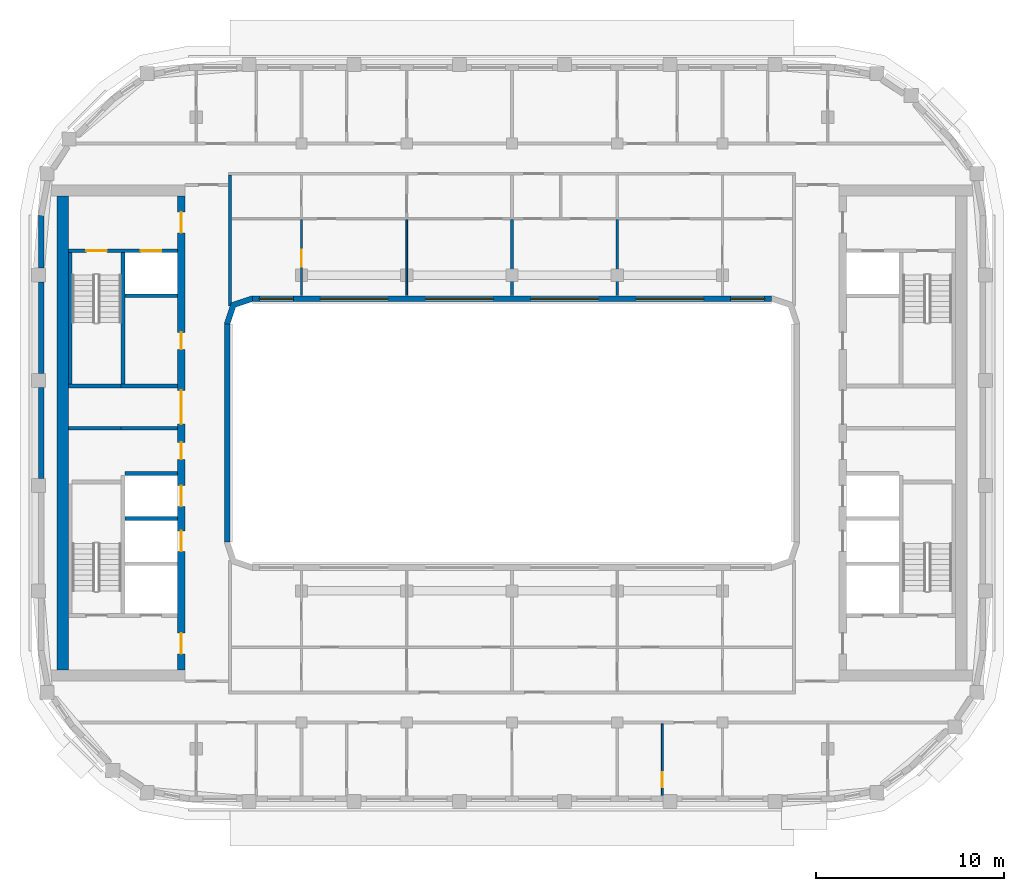
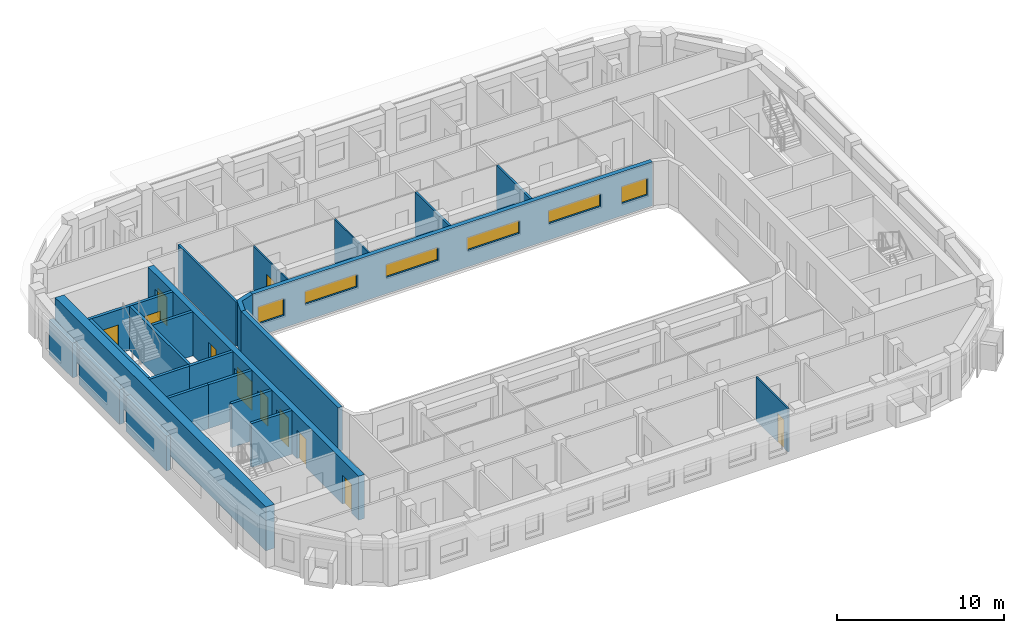
# One storey, part 4 of 16: 24 walls, 11 doors, 6 windows, 17 openings.
"""IFC4 building model written with IfcOpenShell, lengths in metres."""

import ifcopenshell
import ifcopenshell.guid

model = None  # the IFC model being written
_history = None  # IfcOwnerHistory: only IFC2X3 demands one
_inside = {}  # id of a spatial element -> (the spatial element, [elements in it])
_under = {}  # id of a project, library or spatial element -> (it, [spatial elements below it])
_declared = {}  # id of a project -> (the project, [libraries it declares])
_typed = {}  # id of a type object -> (the type object, [elements of that type])
_made_of = {}  # id of a material, layer set ... -> (it, [elements and type objects made of it])


def new_model(schema):
    """Start an empty IFC model of exactly this schema.

    Asked for "IFC4X3", IfcOpenShell would pick the latest addendum, in which some entities
    have other attributes; the version numbers below select the first issue.
    IFC2X3 requires an IfcOwnerHistory on every rooted entity: one is made here for all.
    """
    global model, _history
    if schema == "IFC4X3":
        model = ifcopenshell.file(schema_version=(4, 3, 0, 0))
    else:
        model = ifcopenshell.file(schema=schema)
    _inside.clear()
    _under.clear()
    _declared.clear()
    _typed.clear()
    _made_of.clear()
    _history = None
    if model.schema == "IFC2X3":
        org = make("IfcOrganization", Name="unknown")
        user = make(
            "IfcPersonAndOrganization",
            ThePerson=make("IfcPerson", FamilyName="unknown"),
            TheOrganization=org,
        )
        app = make(
            "IfcApplication",
            ApplicationDeveloper=org,
            Version="unknown",
            ApplicationFullName="unknown",
            ApplicationIdentifier="unknown",
        )
        _history = make(
            "IfcOwnerHistory",
            OwningUser=user,
            OwningApplication=app,
            ChangeAction="ADDED",
            CreationDate=0,
        )
    return model


def make(cls, **values):
    """One entity of the class cls with the attributes given. An attribute that is None is left unset."""
    return model.create_entity(
        cls, **{name: value for name, value in values.items() if value is not None}
    )


def rooted(cls, **values):
    """An entity with a GlobalId (a new one), such as an element, a storey or a relation."""
    return make(cls, GlobalId=ifcopenshell.guid.new(), OwnerHistory=_history, **values)


def si_unit(unit_type, name, prefix=None):
    """IfcSIUnit, for example si_unit("LENGTHUNIT", "METRE", prefix="MILLI")."""
    return make("IfcSIUnit", UnitType=unit_type, Prefix=prefix, Name=name)


def assignment(units):
    """IfcUnitAssignment: the units of a project."""
    return None if units is None else make("IfcUnitAssignment", Units=units)


def point(xyz):
    """IfcCartesianPoint."""
    return None if xyz is None else make("IfcCartesianPoint", Coordinates=xyz)


def direction(xyz):
    """IfcDirection."""
    return None if xyz is None else make("IfcDirection", DirectionRatios=xyz)


def frame(location, z_axis=None, x_axis=None):
    """IfcAxis2Placement3D, a coordinate frame: its origin and axes. An axis left out is left unset."""
    return make(
        "IfcAxis2Placement3D",
        Location=point(location),
        Axis=direction(z_axis),
        RefDirection=direction(x_axis),
    )


def frame_2d(location, x_axis=None):
    """IfcAxis2Placement2D, a coordinate frame in the plane: its origin and x axis."""
    return make(
        "IfcAxis2Placement2D", Location=point(location), RefDirection=direction(x_axis)
    )


def origin():
    """The frame at (0, 0, 0) with its axes left unset."""
    return frame((0.0, 0.0, 0.0))


def place(relative_to, where):
    """IfcLocalPlacement: puts the frame where relative to a parent placement (None: the world)."""
    return make(
        "IfcLocalPlacement", PlacementRelTo=relative_to, RelativePlacement=where
    )


def context(
    kind, dimensions, precision=None, world=None, true_north=None, identifier=None
):
    """IfcGeometricRepresentationContext, for example the 3D "Model" context."""
    return make(
        "IfcGeometricRepresentationContext",
        ContextIdentifier=identifier,
        ContextType=kind,
        CoordinateSpaceDimension=dimensions,
        Precision=precision,
        WorldCoordinateSystem=world,
        TrueNorth=true_north,
    )


def subcontext(parent, identifier, kind, view, scale=None):
    """IfcGeometricRepresentationSubContext, for example "Body" below "Model"."""
    return make(
        "IfcGeometricRepresentationSubContext",
        ContextIdentifier=identifier,
        ContextType=kind,
        ParentContext=parent,
        TargetScale=scale,
        TargetView=view,
    )


def project(units=None, contexts=None):
    """IfcProject with its units and contexts."""
    return rooted(
        "IfcProject",
        Name="project",
        RepresentationContexts=contexts,
        UnitsInContext=assignment(units),
    )


def spatial(cls, under=None, at=None, **own):
    """A site, building, storey or space (cls), placed at a placement, below another one or the project."""
    s = rooted(cls, ObjectPlacement=at, **own)
    if under is not None:
        _under.setdefault(under.id(), (under, []))[1].append(s)
    return s


def polyline(points):
    """IfcPolyline through the points."""
    return make("IfcPolyline", Points=[point(p) for p in points])


def profile(cls, at=None, kind="AREA", **sizes):
    """A parametric profile (cls). Its sizes go by their IFC names, for example OverallWidth=200.0."""
    return make(cls, ProfileType=kind, Position=at, **sizes)


def rectangle(**sizes):
    """IfcRectangleProfileDef."""
    return profile("IfcRectangleProfileDef", **sizes)


def outline(outer, holes=None, kind="AREA"):
    """IfcArbitraryClosedProfileDef: a profile drawn as a closed curve; with holes, ...WithVoids."""
    if holes is None:
        return make("IfcArbitraryClosedProfileDef", ProfileType=kind, OuterCurve=outer)
    return make(
        "IfcArbitraryProfileDefWithVoids",
        ProfileType=kind,
        OuterCurve=outer,
        InnerCurves=holes,
    )


def extrude(swept, where, along, depth):
    """IfcExtrudedAreaSolid: the profile swept, set in the frame where, extruded along a direction by depth."""
    return make(
        "IfcExtrudedAreaSolid",
        SweptArea=swept,
        Position=where,
        ExtrudedDirection=direction(along),
        Depth=depth,
    )


def shape(context_of_items, identifier, shape_type, items):
    """IfcShapeRepresentation: the items that make up one representation, for example the "Body"."""
    return make(
        "IfcShapeRepresentation",
        ContextOfItems=context_of_items,
        RepresentationIdentifier=identifier,
        RepresentationType=shape_type,
        Items=items,
    )


def material(Name=None, Category=None):
    """IfcMaterial."""
    return make("IfcMaterial", Name=Name, Category=Category)


def layer(
    of_material, thickness, ventilated=None, Name=None, Category=None, Priority=None
):
    """IfcMaterialLayer: one layer of a wall or slab, of a material (None: an air gap)."""
    return make(
        "IfcMaterialLayer",
        Material=of_material,
        LayerThickness=thickness,
        IsVentilated=ventilated,
        Name=Name,
        Category=Category,
        Priority=Priority,
    )


def layer_set(layers, Name=None):
    """IfcMaterialLayerSet."""
    return make("IfcMaterialLayerSet", MaterialLayers=layers, LayerSetName=Name)


def made_of(thing, what):
    """Note that an element or type object is made of a material, layer set ...; save() writes the relation."""
    if what is not None:
        _made_of.setdefault(what.id(), (what, []))[1].append(thing)
    return thing


def type_object(cls, material=None, **own):
    """A type object (cls), such as IfcWallType, which elements share."""
    return made_of(rooted(cls, **own), material)


def element(
    cls,
    number,
    at=None,
    inside=None,
    cuts=None,
    type_object=None,
    material=None,
    context=None,
    identifier="Body",
    shape_type=None,
    held_by="IfcProductDefinitionShape",
    body=None,
    shapes=None,
    **own,
):
    """One element of the class cls, such as IfcWall. Its Tag is "e" and its number.

    at: its placement. inside: the storey or other place that contains it. cuts: it is an
    opening in that element (IfcRelVoidsElement). A single representation is given by context,
    identifier, shape_type and body (its items); several are given by shapes. held_by: the class
    of the entity that holds the representations. save() writes the other relations.
    """
    e = rooted(cls, Tag="e%d" % number, ObjectPlacement=at, **own)
    if body is not None:
        shapes = [shape(context, identifier, shape_type, body)]
    if shapes is not None:
        e.Representation = make(held_by, Representations=shapes)
    if inside is not None:
        _inside.setdefault(inside.id(), (inside, []))[1].append(e)
    if cuts is not None:
        rooted(
            "IfcRelVoidsElement", RelatingBuildingElement=cuts, RelatedOpeningElement=e
        )
    if type_object is not None:
        _typed.setdefault(type_object.id(), (type_object, []))[1].append(e)
    return made_of(e, material)


def fill(opening, filler):
    """IfcRelFillsElement: the door or window that sits in an opening."""
    return rooted(
        "IfcRelFillsElement",
        RelatingOpeningElement=opening,
        RelatedBuildingElement=filler,
    )


def aggregate(whole, parts):
    """IfcRelAggregates: a whole, such as a stair, and the parts it consists of."""
    return rooted("IfcRelAggregates", RelatingObject=whole, RelatedObjects=parts)


def save(model, path):
    """Write the relations noted so far, then the file.

    IfcRelAggregates (storeys below a building ...), IfcRelContainedInSpatialStructure (elements
    in a storey), IfcRelDefinesByType, IfcRelAssociatesMaterial and IfcRelDeclares: one each for
    every whole, place, type object, material and project.
    """
    for whole, parts in _under.values():
        aggregate(whole, parts)
    for where, things in _inside.values():
        rooted(
            "IfcRelContainedInSpatialStructure",
            RelatedElements=things,
            RelatingStructure=where,
        )
    for kind, things in _typed.values():
        rooted("IfcRelDefinesByType", RelatedObjects=things, RelatingType=kind)
    for what, things in _made_of.values():
        rooted("IfcRelAssociatesMaterial", RelatedObjects=things, RelatingMaterial=what)
    for by, libraries in _declared.values():
        rooted("IfcRelDeclares", RelatingContext=by, RelatedDefinitions=libraries)
    model.write(path)


model = new_model("IFC4")

# Units and contexts
model_context = context("Model", 3, precision=1e-05, world=origin(), true_north=direction((0.0, 1.0)))
body_context = subcontext(model_context, "Body", "Model", "MODEL_VIEW")
ifc_project = project(units=[si_unit("LENGTHUNIT", "METRE"), si_unit("AREAUNIT", "SQUARE_METRE"), si_unit("VOLUMEUNIT", "CUBIC_METRE"), si_unit("PLANEANGLEUNIT", "RADIAN"), si_unit("MASSUNIT", "GRAM", prefix="KILO")], contexts=[model_context])

# Site, building, storey
site_placement = place(None, origin())
site = spatial("IfcSite", under=ifc_project, at=site_placement, CompositionType="ELEMENT")
building_placement = place(site_placement, origin())
building = spatial("IfcBuilding", under=site, at=building_placement, Name="Kiln Ring Residences", CompositionType="ELEMENT")
storey_placement = place(building_placement, frame((0.0, 0.0, 273.199951171875)))
storey = spatial("IfcBuildingStorey", under=building, at=storey_placement, Name="L71", CompositionType="ELEMENT", Elevation=273.199951171875)

# Walls
ifc_material_1 = material(Name="Gypsum board on steel studs", Category="steel")
ifc_layer_1 = layer(ifc_material_1, 0.199951171875)
ifc_layer_set_1 = layer_set([ifc_layer_1], Name="CORE-PARTITION-200")
wall_type_1 = type_object("IfcWallType", Name="CORE-PARTITION-200", PredefinedType="PARTITIONING", material=ifc_layer_set_1)
wall_1_placement = place(storey_placement, frame((-20.800048828125, 0.25, 0.0), z_axis=(0.0, 0.0, 1.0), x_axis=(-1.0, 0.0, 0.0)))
element("IfcWall", 1, at=wall_1_placement, inside=storey, type_object=wall_type_1, Name="Core partition west L71 1", PredefinedType="PARTITIONING", context=body_context, shape_type="SweptSolid", body=[
    extrude(rectangle(XDim=2.800048828125, YDim=0.199951171875, at=frame_2d((1.39990234375, 0.0))), origin(), (0.0, 0.0, 1.0), 3.199951171875),
])
ifc_material_2 = material(Name="Gypsum shaft wall system")
ifc_layer_2 = layer(ifc_material_2, 0.199951171875)
ifc_layer_set_2 = layer_set([ifc_layer_2], Name="CORE-SHAFT-WALL-200")
wall_type_2 = type_object("IfcWallType", Name="CORE-SHAFT-WALL-200", PredefinedType="PARTITIONING", material=ifc_layer_set_2)
for number, where, z_axis, x_axis, name in (
    (2, (-17.800048828125, -4.550048828125, 0.0), (0.0, 0.0, 1.0), (-1.0, 0.0, 0.0), "Core partition west L71 3"),
    (3, (-17.800048828125, -2.14990234375, 0.0), (0.0, 0.0, 1.0), (-1.0, 0.0, 0.0), "Core partition west L71 4"),
):
    element("IfcWall", number, at=place(storey_placement, frame(where, z_axis=z_axis, x_axis=x_axis)), inside=storey, type_object=wall_type_2, Name=name, PredefinedType="PARTITIONING", context=body_context, shape_type="SweptSolid", body=[
        extrude(rectangle(XDim=2.800048828125, YDim=0.199951171875, at=frame_2d((1.39990234375, 0.0))), origin(), (0.0, 0.0, 1.0), 3.199951171875),
    ])
for number, where, z_axis, x_axis, name in (
    (4, (-17.800048828125, 0.25, 0.0), (0.0, 0.0, 1.0), (-1.0, 0.0, 0.0), "Core partition west L71 5"),
    (5, (-17.800048828125, 2.5, 0.0), (0.0, 0.0, 1.0), (-1.0, 0.0, 0.0), "Core partition west L71 6"),
):
    element("IfcWall", number, at=place(storey_placement, frame(where, z_axis=z_axis, x_axis=x_axis)), inside=storey, type_object=wall_type_2, Name=name, PredefinedType="PARTITIONING", context=body_context, shape_type="SweptSolid", body=[
        extrude(rectangle(XDim=3.0, YDim=0.199951171875, at=frame_2d((1.5, 0.0))), origin(), (0.0, 0.0, 1.0), 3.199951171875),
    ])
wall_2_placement = place(storey_placement, frame((-17.800048828125, 7.300048828125, 0.0), z_axis=(0.0, 0.0, 1.0), x_axis=(-1.0, 0.0, 0.0)))
element("IfcWall", 6, at=wall_2_placement, inside=storey, type_object=wall_type_2, Name="Core partition west L71 7", PredefinedType="PARTITIONING", context=body_context, shape_type="SweptSolid", body=[
    extrude(rectangle(XDim=2.800048828125, YDim=0.199951171875, at=frame_2d((1.39990234375, 0.0))), origin(), (0.0, 0.0, 1.0), 3.199951171875),
])
ifc_material_3 = material(Name="Concrete C40/50", Category="concrete")
ifc_layer_3 = layer(ifc_material_3, 0.199951171875)
ifc_layer_set_3 = layer_set([ifc_layer_3], Name="CORE-WALL-RC200")
wall_type_3 = type_object("IfcWallType", Name="CORE-WALL-RC200", PredefinedType="SHEAR", material=ifc_layer_set_3)
wall_3_placement = place(storey_placement, frame((-20.699951171875, 2.60009765625, 0.0), z_axis=(0.0, 0.0, 1.0), x_axis=(0.0, 1.0, 0.0)))
element("IfcWall", 7, at=wall_3_placement, inside=storey, type_object=wall_type_3, Name="Core wall west L71 1", PredefinedType="SHEAR", context=body_context, shape_type="SweptSolid", body=[
    extrude(rectangle(XDim=7.0, YDim=0.199951171875, at=frame_2d((3.5, 0.0))), origin(), (0.0, 0.0, 1.0), 3.199951171875),
])
wall_4_placement = place(storey_placement, frame((-20.800048828125, 2.5, 0.0), z_axis=(0.0, 0.0, 1.0), x_axis=(-1.0, 0.0, 0.0)))
element("IfcWall", 8, at=wall_4_placement, inside=storey, type_object=wall_type_3, Name="Core wall west L71 3", PredefinedType="SHEAR", context=body_context, shape_type="SweptSolid", body=[
    extrude(rectangle(XDim=2.800048828125, YDim=0.199951171875, at=frame_2d((1.39990234375, 0.0))), origin(), (0.0, 0.0, 1.0), 3.199951171875),
])

# Wall, openings, doors
wall_5_placement = place(storey_placement, frame((-17.800048828125, 9.699951171875, 0.0), z_axis=(0.0, 0.0, 1.0), x_axis=(-1.0, 0.0, 0.0)))
wall_5 = element("IfcWall", 9, at=wall_5_placement, inside=storey, type_object=wall_type_3, Name="Core wall west L71 9", PredefinedType="SHEAR", context=body_context, shape_type="SweptSolid", body=[
    extrude(rectangle(XDim=5.800048828125, YDim=0.199951171875, at=frame_2d((2.89990234375, 0.0))), origin(), (0.0, 0.0, 1.0), 3.199951171875),
])
opening_1_placement = place(wall_5_placement, frame((0.85009765625, 0.0, 0.0)))
opening_1 = element("IfcOpeningElement", 10, at=opening_1_placement, cuts=wall_5, Name="Opening L71-CW06", PredefinedType="OPENING", context=body_context, shape_type="SweptSolid", body=[
    extrude(rectangle(XDim=1.10009765625, YDim=2.10009765625, at=frame_2d((0.550048828125, 1.050048828125))), frame((0.0, 0.10986328125, 0.0), z_axis=(0.0, -1.0, 0.0), x_axis=(1.0, 0.0, 0.0)), (0.0, 0.0, 1.0), 0.219970703125),
])
opening_2_placement = place(wall_5_placement, frame((3.75, 0.0, 0.0)))
opening_2 = element("IfcOpeningElement", 11, at=opening_2_placement, cuts=wall_5, Name="Opening L71-CW09", PredefinedType="OPENING", context=body_context, shape_type="SweptSolid", body=[
    extrude(rectangle(XDim=1.10009765625, YDim=2.10009765625, at=frame_2d((0.550048828125, 1.050048828125))), frame((0.0, 0.10986328125, 0.0), z_axis=(0.0, -1.0, 0.0), x_axis=(1.0, 0.0, 0.0)), (0.0, 0.0, 1.0), 0.219970703125),
])
ifc_material_4 = material(Name="Steel door leaf", Category="steel")
door_type_1 = type_object("IfcDoorType", Name="CORE-DOOR-LD", OperationType="DOUBLE_DOOR_SLIDING", PredefinedType="DOOR", material=ifc_material_4)
door_1_placement = place(opening_1_placement, origin())
door_1 = element("IfcDoor", 12, at=door_1_placement, inside=storey, type_object=door_type_1, Name="LD W-FF L71-CW06", OperationType="DOUBLE_DOOR_SLIDING", OverallHeight=2.10009765625, OverallWidth=1.10009765625, PredefinedType="DOOR", context=body_context, shape_type="SweptSolid", body=[
    extrude(rectangle(XDim=1.10009765625, YDim=2.10009765625, at=frame_2d((0.550048828125, 1.050048828125))), frame((0.0, 0.02490234375, 0.0), z_axis=(0.0, -1.0, 0.0), x_axis=(1.0, 0.0, 0.0)), (0.0, 0.0, 1.0), 0.050048828125),
])
fill(opening_1, door_1)
ifc_material_5 = material(Name="Steel door leaf", Category="steel")
door_type_2 = type_object("IfcDoorType", Name="CORE-DOOR-STAIR", OperationType="SINGLE_SWING_LEFT", PredefinedType="DOOR", material=ifc_material_5)
door_2_placement = place(opening_2_placement, origin())
door_2 = element("IfcDoor", 13, at=door_2_placement, inside=storey, type_object=door_type_2, Name="Stair W-STN L71-CW09", OperationType="SINGLE_SWING_LEFT", OverallHeight=2.10009765625, OverallWidth=1.10009765625, PredefinedType="DOOR", context=body_context, shape_type="SweptSolid", body=[
    extrude(rectangle(XDim=1.10009765625, YDim=2.10009765625, at=frame_2d((0.550048828125, 1.050048828125))), frame((0.0, 0.02490234375, 0.0), z_axis=(0.0, -1.0, 0.0), x_axis=(1.0, 0.0, 0.0)), (0.0, 0.0, 1.0), 0.050048828125),
])
fill(opening_2, door_2)

# Wall
wall_6_placement = place(storey_placement, frame((-23.5, 2.60009765625, 0.0), z_axis=(0.0, 0.0, 1.0), x_axis=(0.0, 1.0, 0.0)))
element("IfcWall", 14, at=wall_6_placement, inside=storey, type_object=wall_type_3, Name="Core wall west L71 10", PredefinedType="SHEAR", context=body_context, shape_type="SweptSolid", body=[
    extrude(rectangle(XDim=7.0, YDim=0.199951171875, at=frame_2d((3.5, 0.0))), origin(), (0.0, 0.0, 1.0), 3.199951171875),
])

# Wall, openings, doors
ifc_material_6 = material(Name="Concrete C60/75", Category="concrete")
ifc_layer_4 = layer(ifc_material_6, 0.39990234375)
ifc_layer_set_4 = layer_set([ifc_layer_4], Name="CORE-WALL-RC400")
wall_type_4 = type_object("IfcWallType", Name="CORE-WALL-RC400", PredefinedType="SHEAR", material=ifc_layer_set_4)
wall_7_placement = place(storey_placement, frame((-17.60009765625, -12.60009765625, 0.0), z_axis=(0.0, 0.0, 1.0), x_axis=(0.0, 1.0, 0.0)))
wall_7 = element("IfcWall", 15, at=wall_7_placement, inside=storey, type_object=wall_type_4, Name="Core wall west L71 6", PredefinedType="SHEAR", context=body_context, shape_type="SweptSolid", body=[
    extrude(rectangle(XDim=25.2001953125, YDim=0.39990234375, at=frame_2d((12.60009765625, 0.0))), origin(), (0.0, 0.0, 1.0), 3.199951171875),
])
opening_3_placement = place(wall_7_placement, frame((6.300048828125, 0.0, 0.0)))
opening_3 = element("IfcOpeningElement", 16, at=opening_3_placement, cuts=wall_7, Name="Opening L71-CW02", PredefinedType="OPENING", context=body_context, shape_type="SweptSolid", body=[
    extrude(rectangle(XDim=1.10009765625, YDim=2.10009765625, at=frame_2d((0.550048828125, 1.050048828125))), frame((0.0, 0.2099609375, 0.0), z_axis=(0.0, -1.0, 0.0), x_axis=(1.0, 0.0, 0.0)), (0.0, 0.0, 1.0), 0.419921875),
])
opening_4_placement = place(wall_7_placement, frame((8.699951171875, 0.0, 0.0)))
opening_4 = element("IfcOpeningElement", 17, at=opening_4_placement, cuts=wall_7, Name="Opening L71-CW03", PredefinedType="OPENING", context=body_context, shape_type="SweptSolid", body=[
    extrude(rectangle(XDim=1.10009765625, YDim=2.10009765625, at=frame_2d((0.550048828125, 1.050048828125))), frame((0.0, 0.2099609375, 0.0), z_axis=(0.0, -1.0, 0.0), x_axis=(1.0, 0.0, 0.0)), (0.0, 0.0, 1.0), 0.419921875),
])
opening_5_placement = place(wall_7_placement, frame((11.199951171875, 0.0, 0.0)))
opening_5 = element("IfcOpeningElement", 18, at=opening_5_placement, cuts=wall_7, Name="Opening L71-CW04", PredefinedType="OPENING", context=body_context, shape_type="SweptSolid", body=[
    extrude(rectangle(XDim=0.89990234375, YDim=2.10009765625, at=frame_2d((0.449951171875, 1.050048828125))), frame((0.0, 0.2099609375, 0.0), z_axis=(0.0, -1.0, 0.0), x_axis=(1.0, 0.0, 0.0)), (0.0, 0.0, 1.0), 0.419921875),
])
opening_6_placement = place(wall_7_placement, frame((17.050048828125, 0.0, 0.0)))
opening_6 = element("IfcOpeningElement", 19, at=opening_6_placement, cuts=wall_7, Name="Opening L71-CW05", PredefinedType="OPENING", context=body_context, shape_type="SweptSolid", body=[
    extrude(rectangle(XDim=0.89990234375, YDim=2.10009765625, at=frame_2d((0.449951171875, 1.050048828125))), frame((0.0, 0.2099609375, 0.0), z_axis=(0.0, -1.0, 0.0), x_axis=(1.0, 0.0, 0.0)), (0.0, 0.0, 1.0), 0.419921875),
])
opening_7_placement = place(wall_7_placement, frame((23.25, 0.0, 0.0)))
opening_7 = element("IfcOpeningElement", 20, at=opening_7_placement, cuts=wall_7, Name="Opening L71-CW07", PredefinedType="OPENING", context=body_context, shape_type="SweptSolid", body=[
    extrude(rectangle(XDim=1.10009765625, YDim=2.10009765625, at=frame_2d((0.550048828125, 1.050048828125))), frame((0.0, 0.2099609375, 0.0), z_axis=(0.0, -1.0, 0.0), x_axis=(1.0, 0.0, 0.0)), (0.0, 0.0, 1.0), 0.419921875),
])
opening_8_placement = place(wall_7_placement, frame((0.85009765625, 0.0, 0.0)))
opening_8 = element("IfcOpeningElement", 21, at=opening_8_placement, cuts=wall_7, Name="Opening L71-CW08", PredefinedType="OPENING", context=body_context, shape_type="SweptSolid", body=[
    extrude(rectangle(XDim=1.10009765625, YDim=2.10009765625, at=frame_2d((0.550048828125, 1.050048828125))), frame((0.0, 0.2099609375, 0.0), z_axis=(0.0, -1.0, 0.0), x_axis=(1.0, 0.0, 0.0)), (0.0, 0.0, 1.0), 0.419921875),
])
opening_9_placement = place(wall_7_placement, frame((13.074951171875, 0.0, 0.0)))
opening_9 = element("IfcOpeningElement", 22, at=opening_9_placement, cuts=wall_7, Name="Opening L71-CW11", PredefinedType="OPENING", context=body_context, shape_type="SweptSolid", body=[
    extrude(rectangle(XDim=1.800048828125, YDim=2.10009765625, at=frame_2d((0.89990234375, 1.050048828125))), frame((0.0, 0.2099609375, 0.0), z_axis=(0.0, -1.0, 0.0), x_axis=(1.0, 0.0, 0.0)), (0.0, 0.0, 1.0), 0.419921875),
])
door_3_placement = place(opening_3_placement, origin())
door_3 = element("IfcDoor", 23, at=door_3_placement, inside=storey, type_object=door_type_1, Name="LD W-H1 L71-CW02", OperationType="DOUBLE_DOOR_SLIDING", OverallHeight=2.10009765625, OverallWidth=1.10009765625, PredefinedType="DOOR", context=body_context, shape_type="SweptSolid", body=[
    extrude(rectangle(XDim=1.10009765625, YDim=2.10009765625, at=frame_2d((0.550048828125, 1.050048828125))), frame((0.0, 0.02490234375, 0.0), z_axis=(0.0, -1.0, 0.0), x_axis=(1.0, 0.0, 0.0)), (0.0, 0.0, 1.0), 0.050048828125),
])
fill(opening_3, door_3)
door_4_placement = place(opening_4_placement, origin())
door_4 = element("IfcDoor", 24, at=door_4_placement, inside=storey, type_object=door_type_1, Name="LD W-H2 L71-CW03", OperationType="DOUBLE_DOOR_SLIDING", OverallHeight=2.10009765625, OverallWidth=1.10009765625, PredefinedType="DOOR", context=body_context, shape_type="SweptSolid", body=[
    extrude(rectangle(XDim=1.10009765625, YDim=2.10009765625, at=frame_2d((0.550048828125, 1.050048828125))), frame((0.0, 0.02490234375, 0.0), z_axis=(0.0, -1.0, 0.0), x_axis=(1.0, 0.0, 0.0)), (0.0, 0.0, 1.0), 0.050048828125),
])
fill(opening_4, door_4)
ifc_material_7 = material(Name="Steel door leaf", Category="steel")
door_type_3 = type_object("IfcDoorType", Name="CORE-DOOR-LOBBY", OperationType="SINGLE_SWING_LEFT", PredefinedType="DOOR", material=ifc_material_7)
door_5_placement = place(opening_7_placement, origin())
door_5 = element("IfcDoor", 25, at=door_5_placement, inside=storey, type_object=door_type_3, Name="FFL L71-CW07", OperationType="SINGLE_SWING_RIGHT", OverallHeight=2.10009765625, OverallWidth=1.10009765625, PredefinedType="DOOR", context=body_context, shape_type="SweptSolid", body=[
    extrude(rectangle(XDim=1.10009765625, YDim=2.10009765625, at=frame_2d((0.550048828125, 1.050048828125))), frame((0.0, 0.02490234375, 0.0), z_axis=(0.0, -1.0, 0.0), x_axis=(1.0, 0.0, 0.0)), (0.0, 0.0, 1.0), 0.050048828125),
])
fill(opening_7, door_5)
door_6_placement = place(opening_8_placement, origin())
door_6 = element("IfcDoor", 26, at=door_6_placement, inside=storey, type_object=door_type_3, Name="SVL L71-CW08", OperationType="SINGLE_SWING_LEFT", OverallHeight=2.10009765625, OverallWidth=1.10009765625, PredefinedType="DOOR", context=body_context, shape_type="SweptSolid", body=[
    extrude(rectangle(XDim=1.10009765625, YDim=2.10009765625, at=frame_2d((0.550048828125, 1.050048828125))), frame((0.0, 0.02490234375, 0.0), z_axis=(0.0, -1.0, 0.0), x_axis=(1.0, 0.0, 0.0)), (0.0, 0.0, 1.0), 0.050048828125),
])
fill(opening_8, door_6)
ifc_material_8 = material(Name="Steel door leaf", Category="steel")
door_type_4 = type_object("IfcDoorType", Name="CORE-DOOR-PASS", OperationType="DOUBLE_DOOR_SINGLE_SWING", PredefinedType="DOOR", material=ifc_material_8)
door_7_placement = place(opening_9_placement, origin())
door_7 = element("IfcDoor", 27, at=door_7_placement, inside=storey, type_object=door_type_4, Name="Core passage L71-CW11", OperationType="DOUBLE_DOOR_SINGLE_SWING", OverallHeight=2.10009765625, OverallWidth=1.800048828125, PredefinedType="DOOR", context=body_context, shape_type="SweptSolid", body=[
    extrude(rectangle(XDim=1.800048828125, YDim=2.10009765625, at=frame_2d((0.89990234375, 1.050048828125))), frame((0.0, 0.02490234375, 0.0), z_axis=(0.0, -1.0, 0.0), x_axis=(1.0, 0.0, 0.0)), (0.0, 0.0, 1.0), 0.050048828125),
])
fill(opening_9, door_7)
ifc_material_9 = material(Name="Steel door leaf", Category="steel")
door_type_5 = type_object("IfcDoorType", Name="CORE-DOOR-ROOM", OperationType="SINGLE_SWING_LEFT", PredefinedType="DOOR", material=ifc_material_9)
door_8_placement = place(opening_5_placement, origin())
door_8 = element("IfcDoor", 28, at=door_8_placement, inside=storey, type_object=door_type_5, Name="Store L71-CW04", OperationType="SINGLE_SWING_RIGHT", OverallHeight=2.10009765625, OverallWidth=0.89990234375, PredefinedType="DOOR", context=body_context, shape_type="SweptSolid", body=[
    extrude(rectangle(XDim=0.89990234375, YDim=2.10009765625, at=frame_2d((0.449951171875, 1.050048828125))), frame((0.0, 0.02490234375, 0.0), z_axis=(0.0, -1.0, 0.0), x_axis=(1.0, 0.0, 0.0)), (0.0, 0.0, 1.0), 0.050048828125),
])
fill(opening_5, door_8)
door_9_placement = place(opening_6_placement, origin())
door_9 = element("IfcDoor", 29, at=door_9_placement, inside=storey, type_object=door_type_5, Name="Housekeeping store L71-CW05", OperationType="SINGLE_SWING_LEFT", OverallHeight=2.10009765625, OverallWidth=0.89990234375, PredefinedType="DOOR", context=body_context, shape_type="SweptSolid", body=[
    extrude(rectangle(XDim=0.89990234375, YDim=2.10009765625, at=frame_2d((0.449951171875, 1.050048828125))), frame((0.0, 0.02490234375, 0.0), z_axis=(0.0, -1.0, 0.0), x_axis=(1.0, 0.0, 0.0)), (0.0, 0.0, 1.0), 0.050048828125),
])
fill(opening_6, door_9)

# Walls
ifc_material_10 = material(Name="Concrete C60/75", Category="concrete")
ifc_layer_5 = layer(ifc_material_10, 0.60009765625)
ifc_layer_set_5 = layer_set([ifc_layer_5], Name="CORE-WALL-RC600")
wall_type_5 = type_object("IfcWallType", Name="CORE-WALL-RC600", PredefinedType="SHEAR", material=ifc_layer_set_5)
wall_8_placement = place(storey_placement, frame((-23.89990234375, -12.60009765625, 0.0), z_axis=(0.0, 0.0, 1.0), x_axis=(0.0, 1.0, 0.0)))
element("IfcWall", 30, at=wall_8_placement, inside=storey, type_object=wall_type_5, Name="Core wall west L71 7", PredefinedType="SHEAR", context=body_context, shape_type="SweptSolid", body=[
    extrude(rectangle(XDim=25.2001953125, YDim=0.60009765625, at=frame_2d((12.60009765625, 0.0))), origin(), (0.0, 0.0, 1.0), 3.199951171875),
])
ifc_material_11 = material(Name="Brick masonry, dark clay brick", Category="masonry")
ifc_layer_6 = layer(ifc_material_11, 0.300048828125)
ifc_layer_set_6 = layer_set([ifc_layer_6], Name="EW-300 BRICK WALL")
wall_type_6 = type_object("IfcWallType", Name="EW-300 BRICK WALL", PredefinedType="SOLIDWALL", material=ifc_layer_set_6)
wall_9_placement = place(storey_placement, frame((-25.050048828125, 11.60009765625, 0.0), z_axis=(0.0, 0.0, 1.0), x_axis=(0.0, -1.0, 0.0)))
element("IfcWall", 31, at=wall_9_placement, inside=storey, type_object=wall_type_6, Name="Facade wall L71 38", PredefinedType="SOLIDWALL", context=body_context, shape_type="SweptSolid", body=[
    extrude(rectangle(XDim=2.8251953125, YDim=0.300048828125, at=frame_2d((1.41259765625, 0.0))), origin(), (0.0, 0.0, 1.0), 2.550048828125),
])
wall_10_placement = place(storey_placement, frame((-25.050048828125, 8.02490234375, 0.0), z_axis=(0.0, 0.0, 1.0), x_axis=(0.0, -1.0, 0.0)))
element("IfcWall", 32, at=wall_10_placement, inside=storey, type_object=wall_type_6, Name="Facade wall L71 39", PredefinedType="SOLIDWALL", context=body_context, shape_type="SweptSolid", body=[
    extrude(rectangle(XDim=4.849853515625, YDim=0.300048828125, at=frame_2d((2.4248046875, 0.0))), origin(), (0.0, 0.0, 1.0), 2.550048828125),
])
wall_11_placement = place(storey_placement, frame((-25.050048828125, 2.425048828125, 0.0), z_axis=(0.0, 0.0, 1.0), x_axis=(0.0, -1.0, 0.0)))
element("IfcWall", 33, at=wall_11_placement, inside=storey, type_object=wall_type_6, Name="Facade wall L71 40", PredefinedType="SOLIDWALL", context=body_context, shape_type="SweptSolid", body=[
    extrude(rectangle(XDim=4.85009765625, YDim=0.300048828125, at=frame_2d((2.425048828125, 0.0))), origin(), (0.0, 0.0, 1.0), 2.550048828125),
])
wall_12_placement = place(storey_placement, frame((-15.14990234375, -5.800048828125, 0.0), z_axis=(0.0, 0.0, 1.0), x_axis=(0.0, 1.0, 0.0)))
element("IfcWall", 34, at=wall_12_placement, inside=storey, type_object=wall_type_6, Name="Facade wall L71 45", PredefinedType="SOLIDWALL", context=body_context, shape_type="SweptSolid", body=[
    extrude(rectangle(XDim=11.60009765625, YDim=0.300048828125, at=frame_2d((5.800048828125, 0.0))), origin(), (0.0, 0.0, 1.0), 3.199951171875),
])

# Wall, openings, windows
wall_13_placement = place(storey_placement, frame((-13.800048828125, 7.14990234375, 0.0), z_axis=(0.0, 0.0, 1.0), x_axis=(1.0, 0.0, 0.0)))
wall_13 = element("IfcWall", 35, at=wall_13_placement, inside=storey, type_object=wall_type_6, Name="Facade wall L71 46", PredefinedType="SOLIDWALL", context=body_context, shape_type="SweptSolid", body=[
    extrude(rectangle(XDim=27.60009765625, YDim=0.300048828125, at=frame_2d((13.800048828125, 0.0))), origin(), (0.0, 0.0, 1.0), 3.199951171875),
])
opening_10_placement = place(wall_13_placement, frame((0.362548828125, 0.0, 0.89990234375)))
opening_10 = element("IfcOpeningElement", 36, at=opening_10_placement, cuts=wall_13, Name="Opening W2", PredefinedType="OPENING", context=body_context, shape_type="SweptSolid", body=[
    extrude(rectangle(XDim=1.800048828125, YDim=1.25, at=frame_2d((0.89990234375, 0.625))), frame((0.0, 0.159912109375, 0.0), z_axis=(0.0, -1.0, 0.0), x_axis=(1.0, 0.0, 0.0)), (0.0, 0.0, 1.0), 0.320068359375),
])
opening_11_placement = place(wall_13_placement, frame((3.60009765625, 0.0, 1.199951171875)))
opening_11 = element("IfcOpeningElement", 37, at=opening_11_placement, cuts=wall_13, Name="Opening W4", PredefinedType="OPENING", context=body_context, shape_type="SweptSolid", body=[
    extrude(rectangle(XDim=3.60009765625, YDim=0.949951171875, at=frame_2d((1.800048828125, 0.47509765625))), frame((0.0, 0.159912109375, 0.0), z_axis=(0.0, -1.0, 0.0), x_axis=(1.0, 0.0, 0.0)), (0.0, 0.0, 1.0), 0.320068359375),
])
opening_12_placement = place(wall_13_placement, frame((9.199951171875, 0.0, 1.199951171875)))
opening_12 = element("IfcOpeningElement", 38, at=opening_12_placement, cuts=wall_13, Name="Opening W4", PredefinedType="OPENING", context=body_context, shape_type="SweptSolid", body=[
    extrude(rectangle(XDim=3.60009765625, YDim=0.949951171875, at=frame_2d((1.800048828125, 0.47509765625))), frame((0.0, 0.159912109375, 0.0), z_axis=(0.0, -1.0, 0.0), x_axis=(1.0, 0.0, 0.0)), (0.0, 0.0, 1.0), 0.320068359375),
])
opening_13_placement = place(wall_13_placement, frame((14.800048828125, 0.0, 1.199951171875)))
opening_13 = element("IfcOpeningElement", 39, at=opening_13_placement, cuts=wall_13, Name="Opening W4", PredefinedType="OPENING", context=body_context, shape_type="SweptSolid", body=[
    extrude(rectangle(XDim=3.60009765625, YDim=0.949951171875, at=frame_2d((1.800048828125, 0.47509765625))), frame((0.0, 0.159912109375, 0.0), z_axis=(0.0, -1.0, 0.0), x_axis=(1.0, 0.0, 0.0)), (0.0, 0.0, 1.0), 0.320068359375),
])
opening_14_placement = place(wall_13_placement, frame((20.39990234375, 0.0, 1.199951171875)))
opening_14 = element("IfcOpeningElement", 40, at=opening_14_placement, cuts=wall_13, Name="Opening W4", PredefinedType="OPENING", context=body_context, shape_type="SweptSolid", body=[
    extrude(rectangle(XDim=3.60009765625, YDim=0.949951171875, at=frame_2d((1.800048828125, 0.47509765625))), frame((0.0, 0.159912109375, 0.0), z_axis=(0.0, -1.0, 0.0), x_axis=(1.0, 0.0, 0.0)), (0.0, 0.0, 1.0), 0.320068359375),
])
opening_15_placement = place(wall_13_placement, frame((25.4375, 0.0, 0.89990234375)))
opening_15 = element("IfcOpeningElement", 41, at=opening_15_placement, cuts=wall_13, Name="Opening W2", PredefinedType="OPENING", context=body_context, shape_type="SweptSolid", body=[
    extrude(rectangle(XDim=1.800048828125, YDim=1.25, at=frame_2d((0.89990234375, 0.625))), frame((0.0, 0.159912109375, 0.0), z_axis=(0.0, -1.0, 0.0), x_axis=(1.0, 0.0, 0.0)), (0.0, 0.0, 1.0), 0.320068359375),
])
ifc_material_12 = material(Name="Aluminium frame with double glazing", Category="aluminium")
window_type_1 = type_object("IfcWindowType", Name="WINDOW 1800 x 1250", PartitioningType="SINGLE_PANEL", PredefinedType="WINDOW", material=ifc_material_12)
window_1_placement = place(opening_10_placement, origin())
window_1 = element("IfcWindow", 42, at=window_1_placement, inside=storey, type_object=window_type_1, Name="Window L71 37", OverallHeight=1.25, OverallWidth=1.800048828125, PartitioningType="SINGLE_PANEL", PredefinedType="WINDOW", context=body_context, shape_type="SweptSolid", body=[
    extrude(rectangle(XDim=1.800048828125, YDim=1.25, at=frame_2d((0.89990234375, 0.625))), frame((0.0, 0.030029296875, 0.0), z_axis=(0.0, -1.0, 0.0), x_axis=(1.0, 0.0, 0.0)), (0.0, 0.0, 1.0), 0.06005859375),
])
fill(opening_10, window_1)
window_2_placement = place(opening_15_placement, origin())
window_2 = element("IfcWindow", 43, at=window_2_placement, inside=storey, type_object=window_type_1, Name="Window L71 42", OverallHeight=1.25, OverallWidth=1.800048828125, PartitioningType="SINGLE_PANEL", PredefinedType="WINDOW", context=body_context, shape_type="SweptSolid", body=[
    extrude(rectangle(XDim=1.800048828125, YDim=1.25, at=frame_2d((0.89990234375, 0.625))), frame((0.0, 0.030029296875, 0.0), z_axis=(0.0, -1.0, 0.0), x_axis=(1.0, 0.0, 0.0)), (0.0, 0.0, 1.0), 0.06005859375),
])
fill(opening_15, window_2)
ifc_material_13 = material(Name="Aluminium frame with double glazing", Category="aluminium")
window_type_2 = type_object("IfcWindowType", Name="WINDOW 3600 x 950", PartitioningType="SINGLE_PANEL", PredefinedType="WINDOW", material=ifc_material_13)
window_3_placement = place(opening_11_placement, origin())
window_3 = element("IfcWindow", 44, at=window_3_placement, inside=storey, type_object=window_type_2, Name="Window L71 38", OverallHeight=0.949951171875, OverallWidth=3.60009765625, PartitioningType="SINGLE_PANEL", PredefinedType="WINDOW", context=body_context, shape_type="SweptSolid", body=[
    extrude(rectangle(XDim=3.60009765625, YDim=0.949951171875, at=frame_2d((1.800048828125, 0.47509765625))), frame((0.0, 0.030029296875, 0.0), z_axis=(0.0, -1.0, 0.0), x_axis=(1.0, 0.0, 0.0)), (0.0, 0.0, 1.0), 0.06005859375),
])
fill(opening_11, window_3)
window_4_placement = place(opening_12_placement, origin())
window_4 = element("IfcWindow", 45, at=window_4_placement, inside=storey, type_object=window_type_2, Name="Window L71 39", OverallHeight=0.949951171875, OverallWidth=3.60009765625, PartitioningType="SINGLE_PANEL", PredefinedType="WINDOW", context=body_context, shape_type="SweptSolid", body=[
    extrude(rectangle(XDim=3.60009765625, YDim=0.949951171875, at=frame_2d((1.800048828125, 0.47509765625))), frame((0.0, 0.030029296875, 0.0), z_axis=(0.0, -1.0, 0.0), x_axis=(1.0, 0.0, 0.0)), (0.0, 0.0, 1.0), 0.06005859375),
])
fill(opening_12, window_4)
window_5_placement = place(opening_13_placement, origin())
window_5 = element("IfcWindow", 46, at=window_5_placement, inside=storey, type_object=window_type_2, Name="Window L71 40", OverallHeight=0.949951171875, OverallWidth=3.60009765625, PartitioningType="SINGLE_PANEL", PredefinedType="WINDOW", context=body_context, shape_type="SweptSolid", body=[
    extrude(rectangle(XDim=3.60009765625, YDim=0.949951171875, at=frame_2d((1.800048828125, 0.47509765625))), frame((0.0, 0.030029296875, 0.0), z_axis=(0.0, -1.0, 0.0), x_axis=(1.0, 0.0, 0.0)), (0.0, 0.0, 1.0), 0.06005859375),
])
fill(opening_13, window_5)
window_6_placement = place(opening_14_placement, origin())
window_6 = element("IfcWindow", 47, at=window_6_placement, inside=storey, type_object=window_type_2, Name="Window L71 41", OverallHeight=0.949951171875, OverallWidth=3.60009765625, PartitioningType="SINGLE_PANEL", PredefinedType="WINDOW", context=body_context, shape_type="SweptSolid", body=[
    extrude(rectangle(XDim=3.60009765625, YDim=0.949951171875, at=frame_2d((1.800048828125, 0.47509765625))), frame((0.0, 0.030029296875, 0.0), z_axis=(0.0, -1.0, 0.0), x_axis=(1.0, 0.0, 0.0)), (0.0, 0.0, 1.0), 0.06005859375),
])
fill(opening_14, window_6)

# Wall
wall_14_placement = place(storey_placement, origin())
element("IfcWall", 48, at=wall_14_placement, inside=storey, type_object=wall_type_6, Name="Corner wall L71 1", PredefinedType="SOLIDWALL", context=body_context, shape_type="SweptSolid", body=[
    extrude(outline(polyline([(-13.8486328125, 7.300048828125), (-14.937255859375, 6.937255859375), (-15.300048828125, 5.8486328125), (-15.300048828125, 5.800048828125), (-15.0, 5.800048828125), (-14.699951171875, 6.699951171875), (-13.800048828125, 7.0), (-13.800048828125, 7.300048828125), (-13.8486328125, 7.300048828125)])), origin(), (0.0, 0.0, 1.0), 3.199951171875),
])

# Wall, opening, door
ifc_material_14 = material(Name="Gypsum board on steel studs", Category="steel")
ifc_layer_7 = layer(ifc_material_14, 0.10009765625)
ifc_layer_set_7 = layer_set([ifc_layer_7], Name="PARTITION-100")
wall_type_7 = type_object("IfcWallType", Name="PARTITION-100", PredefinedType="PARTITIONING", material=ifc_layer_set_7)
wall_15_placement = place(storey_placement, frame((-11.199951171875, 7.320068359375, 0.0), z_axis=(0.0, 0.0, 1.0), x_axis=(0.0, 1.0, 0.0)))
wall_15 = element("IfcWall", 49, at=wall_15_placement, inside=storey, type_object=wall_type_7, Name="Partition 018", PredefinedType="PARTITIONING", context=body_context, shape_type="SweptSolid", body=[
    extrude(rectangle(XDim=4.030029296875, YDim=0.10009765625, at=frame_2d((2.01513671875, 0.0))), origin(), (0.0, 0.0, 1.0), 3.199951171875),
])
opening_16_placement = place(wall_15_placement, frame((1.530029296875, 0.0, 0.0)))
opening_16 = element("IfcOpeningElement", 50, at=opening_16_placement, cuts=wall_15, Name="Opening L71-D010", PredefinedType="OPENING", context=body_context, shape_type="SweptSolid", body=[
    extrude(rectangle(XDim=0.89990234375, YDim=2.10009765625, at=frame_2d((0.449951171875, 1.050048828125))), frame((0.0, 0.06005859375, 0.0), z_axis=(0.0, -1.0, 0.0), x_axis=(1.0, 0.0, 0.0)), (0.0, 0.0, 1.0), 0.1201171875),
])
ifc_material_15 = material(Name="Timber door leaf", Category="wood")
door_type_6 = type_object("IfcDoorType", Name="FLAT-DOOR-900-PL", OperationType="SINGLE_SWING_LEFT", PredefinedType="DOOR", material=ifc_material_15)
door_10_placement = place(opening_16_placement, origin())
door_10 = element("IfcDoor", 51, at=door_10_placement, inside=storey, type_object=door_type_6, Name="Door L71-D010", OperationType="SINGLE_SWING_RIGHT", OverallHeight=2.10009765625, OverallWidth=0.89990234375, PredefinedType="DOOR", context=body_context, shape_type="SweptSolid", body=[
    extrude(rectangle(XDim=0.89990234375, YDim=2.10009765625, at=frame_2d((0.449951171875, 1.050048828125))), frame((0.0, 0.02490234375, 0.0), z_axis=(0.0, -1.0, 0.0), x_axis=(1.0, 0.0, 0.0)), (0.0, 0.0, 1.0), 0.050048828125),
])
fill(opening_16, door_10)

# Wall
wall_16_placement = place(storey_placement, frame((-5.60009765625, 7.320068359375, 0.0), z_axis=(0.0, 0.0, 1.0), x_axis=(0.0, 1.0, 0.0)))
element("IfcWall", 52, at=wall_16_placement, inside=storey, type_object=wall_type_7, Name="Partition 027", PredefinedType="PARTITIONING", context=body_context, shape_type="SweptSolid", body=[
    extrude(rectangle(XDim=4.030029296875, YDim=0.10009765625, at=frame_2d((2.01513671875, 0.0))), origin(), (0.0, 0.0, 1.0), 3.199951171875),
])

# Wall, opening, door
wall_17_placement = place(storey_placement, frame((8.0, -19.280029296875, 0.0), z_axis=(0.0, 0.0, 1.0), x_axis=(0.0, 1.0, 0.0)))
wall_17 = element("IfcWall", 53, at=wall_17_placement, inside=storey, type_object=wall_type_7, Name="Partition 043", PredefinedType="PARTITIONING", context=body_context, shape_type="SweptSolid", body=[
    extrude(rectangle(XDim=3.804931640625, YDim=0.10009765625, at=frame_2d((1.90234375, 0.0))), origin(), (0.0, 0.0, 1.0), 3.199951171875),
])
opening_17_placement = place(wall_17_placement, frame((0.428955078125, 0.0, 0.0)))
opening_17 = element("IfcOpeningElement", 54, at=opening_17_placement, cuts=wall_17, Name="Opening L71-D050", PredefinedType="OPENING", context=body_context, shape_type="SweptSolid", body=[
    extrude(rectangle(XDim=0.800048828125, YDim=2.10009765625, at=frame_2d((0.39990234375, 1.050048828125))), frame((0.0, 0.06005859375, 0.0), z_axis=(0.0, -1.0, 0.0), x_axis=(1.0, 0.0, 0.0)), (0.0, 0.0, 1.0), 0.1201171875),
])
ifc_material_16 = material(Name="Timber door leaf", Category="wood")
door_type_7 = type_object("IfcDoorType", Name="FLAT-DOOR-800-PL", OperationType="SINGLE_SWING_LEFT", PredefinedType="DOOR", material=ifc_material_16)
door_11_placement = place(opening_17_placement, origin())
door_11 = element("IfcDoor", 55, at=door_11_placement, inside=storey, type_object=door_type_7, Name="Door L71-D050", OperationType="SINGLE_SWING_RIGHT", OverallHeight=2.10009765625, OverallWidth=0.800048828125, PredefinedType="DOOR", context=body_context, shape_type="SweptSolid", body=[
    extrude(rectangle(XDim=0.800048828125, YDim=2.10009765625, at=frame_2d((0.39990234375, 1.050048828125))), frame((0.0, 0.02490234375, 0.0), z_axis=(0.0, -1.0, 0.0), x_axis=(1.0, 0.0, 0.0)), (0.0, 0.0, 1.0), 0.050048828125),
])
fill(opening_17, door_11)

# Walls
ifc_material_17 = material(Name="Brick masonry partition", Category="masonry")
ifc_layer_8 = layer(ifc_material_17, 0.14990234375)
ifc_layer_set_8 = layer_set([ifc_layer_8], Name="PARTITION-150-ei60")
wall_type_8 = type_object("IfcWallType", Name="PARTITION-150-ei60", PredefinedType="PARTITIONING", material=ifc_layer_set_8)
wall_18_placement = place(storey_placement, frame((-15.0, 6.768798828125, 0.0), z_axis=(0.0, 0.0, 1.0), x_axis=(0.0, 1.0, 0.0)))
element("IfcWall", 56, at=wall_18_placement, inside=storey, type_object=wall_type_8, Name="Partition 013", PredefinedType="PARTITIONING", context=body_context, shape_type="SweptSolid", body=[
    extrude(rectangle(XDim=6.956298828125, YDim=0.14990234375, at=frame_2d((3.47802734375, 0.0))), origin(), (0.0, 0.0, 1.0), 3.199951171875),
])
for number, where, z_axis, x_axis, name in (
    (57, (0.0, 7.320068359375, 0.0), (0.0, 0.0, 1.0), (0.0, 1.0, 0.0), "Partition 033"),
    (58, (5.60009765625, 7.320068359375, 0.0), (0.0, 0.0, 1.0), (0.0, 1.0, 0.0), "Partition 041"),
):
    element("IfcWall", number, at=place(storey_placement, frame(where, z_axis=z_axis, x_axis=x_axis)), inside=storey, type_object=wall_type_8, Name=name, PredefinedType="PARTITIONING", context=body_context, shape_type="SweptSolid", body=[
        extrude(rectangle(XDim=4.030029296875, YDim=0.14990234375, at=frame_2d((2.01513671875, 0.0))), origin(), (0.0, 0.0, 1.0), 3.199951171875),
    ])

save(model, "model.ifc")
